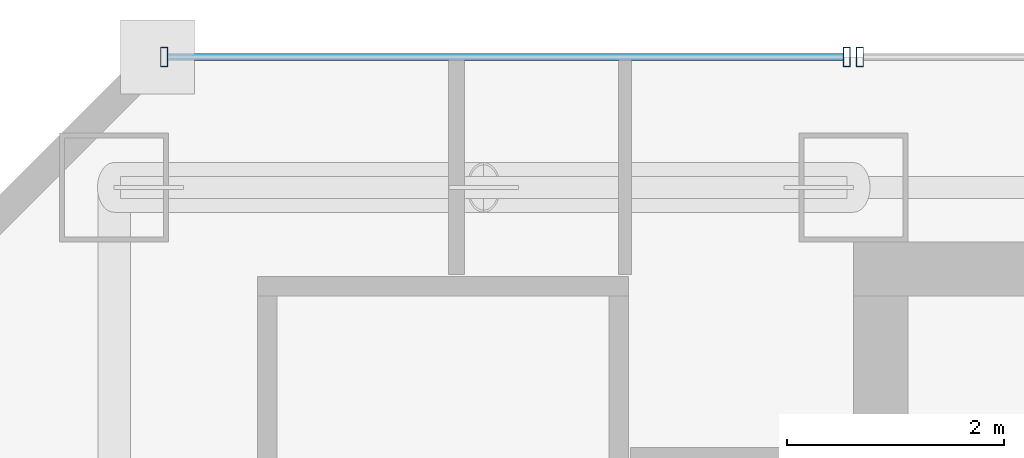
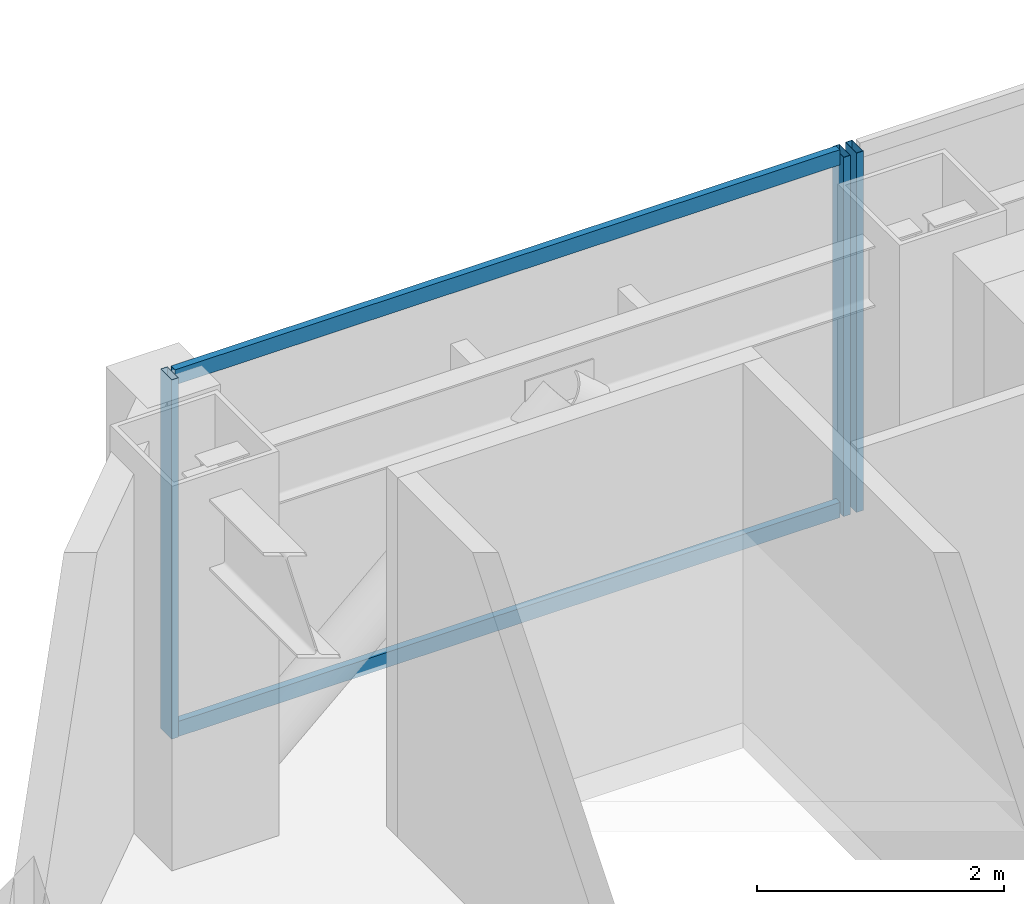
# One storey, part 22 of 36: 5 members, 2 elements without a shape of their own.
"""IFC4 building model written with IfcOpenShell, lengths in metres."""

from ifc_helpers import new_model, si_unit, direction, frame, origin, origin_2d, place, context, subcontext, project, spatial, hollow_rectangle, extrude, material, material_profile, profile_set, type_object, element, aggregate, save


model = new_model("IFC4")

# Units and contexts
model_context = context("Model", 3, precision=1e-05, world=origin(), true_north=direction((0.0, 1.0)))
body_context = subcontext(model_context, "Body", "Model", "MODEL_VIEW")
ifc_project = project(units=[si_unit("LENGTHUNIT", "METRE"), si_unit("AREAUNIT", "SQUARE_METRE"), si_unit("VOLUMEUNIT", "CUBIC_METRE"), si_unit("PLANEANGLEUNIT", "RADIAN"), si_unit("MASSUNIT", "GRAM", prefix="KILO")], contexts=[model_context])

# Site, building, storey
site_placement = place(None, origin())
site = spatial("IfcSite", under=ifc_project, at=site_placement, CompositionType="ELEMENT")
building_placement = place(site_placement, origin())
building = spatial("IfcBuilding", under=site, at=building_placement, Name="Saevonmaru Cultural Tower", CompositionType="ELEMENT")
storey_placement = place(building_placement, frame((0.0, 0.0, 156.199951171875)))
storey = spatial("IfcBuildingStorey", under=building, at=storey_placement, Name="L34", CompositionType="ELEMENT", Elevation=156.199951171875)

# Curtain wall, member
ifc_material = material(Name="Satin Bronze Anodised Aluminium", Category="aluminium")
curtain_wall_type = type_object("IfcCurtainWallType", Name="CW-TYP-A", PredefinedType="NOTDEFINED", material=ifc_material)
curtain_wall_1_placement = place(storey_placement, origin())
curtain_wall_1 = element("IfcCurtainWall", 1, at=curtain_wall_1_placement, inside=storey, type_object=curtain_wall_type, Name="L34 North Spine Unitised Curtain Wall E10B", PredefinedType="NOTDEFINED")
ifc_material_profile_1 = material_profile(ifc_material, hollow_rectangle(XDim=0.06494140625, YDim=0.179931640625, WallThickness=0.00390625, at=origin_2d()), Name="ALU-MULL-180x65x4")
ifc_profile_set_1 = profile_set([ifc_material_profile_1], Name="Satin Bronze Anodised Aluminium")
member_type_1 = type_object("IfcMemberType", Name="ML-CW-180x65", PredefinedType="MULLION", material=ifc_profile_set_1)
member_1_placement = place(storey_placement, frame((13.659912109375, 56.0, 0.0), z_axis=(0.0, 0.0, 1.0), x_axis=(-1.0, 0.0, 0.0)))
member_1 = element("IfcMember", 2, at=member_1_placement, type_object=member_type_1, Name="CW-TW-L34-E10B mullion 4", PredefinedType="MULLION", context=body_context, shape_type="SweptSolid", body=[
    extrude(hollow_rectangle(XDim=0.06494140625, YDim=0.179931640625, WallThickness=0.00390625, at=origin_2d()), origin(), (0.0, 0.0, 1.0), 3.550048828125),
])
aggregate(curtain_wall_1, [member_1])

# Curtain wall, members
curtain_wall_2_placement = place(storey_placement, origin())
curtain_wall_2 = element("IfcCurtainWall", 3, at=curtain_wall_2_placement, inside=storey, type_object=curtain_wall_type, Name="L34 West Braced Bay Spandrel Curtain Wall E10C", PredefinedType="NOTDEFINED")
member_2_placement = place(storey_placement, frame((13.5400390625, 56.0, 0.0), z_axis=(0.0, 0.0, 1.0), x_axis=(-1.0, 0.0, 0.0)))
member_2 = element("IfcMember", 4, at=member_2_placement, type_object=member_type_1, Name="CW-TW-L34-E10C mullion 1", PredefinedType="MULLION", context=body_context, shape_type="SweptSolid", body=[
    extrude(hollow_rectangle(XDim=0.06494140625, YDim=0.179931640625, WallThickness=0.00390625, at=origin_2d()), origin(), (0.0, 0.0, 1.0), 3.550048828125),
])
member_3_placement = place(storey_placement, frame((7.260009765625, 56.0, 0.0), z_axis=(0.0, 0.0, 1.0), x_axis=(-1.0, 0.0, 0.0)))
member_3 = element("IfcMember", 5, at=member_3_placement, type_object=member_type_1, Name="CW-TW-L34-E10C mullion 2", PredefinedType="MULLION", context=body_context, shape_type="SweptSolid", body=[
    extrude(hollow_rectangle(XDim=0.06494140625, YDim=0.179931640625, WallThickness=0.00390625, at=origin_2d()), origin(), (0.0, 0.0, 1.0), 3.550048828125),
])
ifc_material_profile_2 = material_profile(ifc_material, hollow_rectangle(XDim=0.06494140625, YDim=0.14990234375, WallThickness=0.00390625, at=origin_2d()), Name="ALU-TRAN-150x65x4")
ifc_profile_set_2 = profile_set([ifc_material_profile_2], Name="Satin Bronze Anodised Aluminium")
member_type_2 = type_object("IfcMemberType", Name="TR-CW-150x65", PredefinedType="USERDEFINED", material=ifc_profile_set_2)
member_4_placement = place(storey_placement, frame((13.507568359375, 56.0, 0.032470703125), z_axis=(-1.0, 0.0, 0.0), x_axis=(0.0, -1.0, 0.0)))
member_4 = element("IfcMember", 6, at=member_4_placement, type_object=member_type_2, Name="CW-TW-L34-E10C transom 1.1", ObjectType="TRANSOM", PredefinedType="USERDEFINED", context=body_context, shape_type="SweptSolid", body=[
    extrude(hollow_rectangle(XDim=0.06494140625, YDim=0.14990234375, WallThickness=0.00390625, at=origin_2d()), origin(), (0.0, 0.0, 1.0), 6.215087890625),
])
member_5_placement = place(storey_placement, frame((13.507568359375, 56.0, 3.517578125), z_axis=(-1.0, 0.0, 0.0), x_axis=(0.0, -1.0, 0.0)))
member_5 = element("IfcMember", 7, at=member_5_placement, type_object=member_type_2, Name="CW-TW-L34-E10C transom 1.2", ObjectType="TRANSOM", PredefinedType="USERDEFINED", context=body_context, shape_type="SweptSolid", body=[
    extrude(hollow_rectangle(XDim=0.06494140625, YDim=0.14990234375, WallThickness=0.00390625, at=origin_2d()), origin(), (0.0, 0.0, 1.0), 6.215087890625),
])
aggregate(curtain_wall_2, [member_2, member_3, member_4, member_5])

save(model, "model.ifc")
